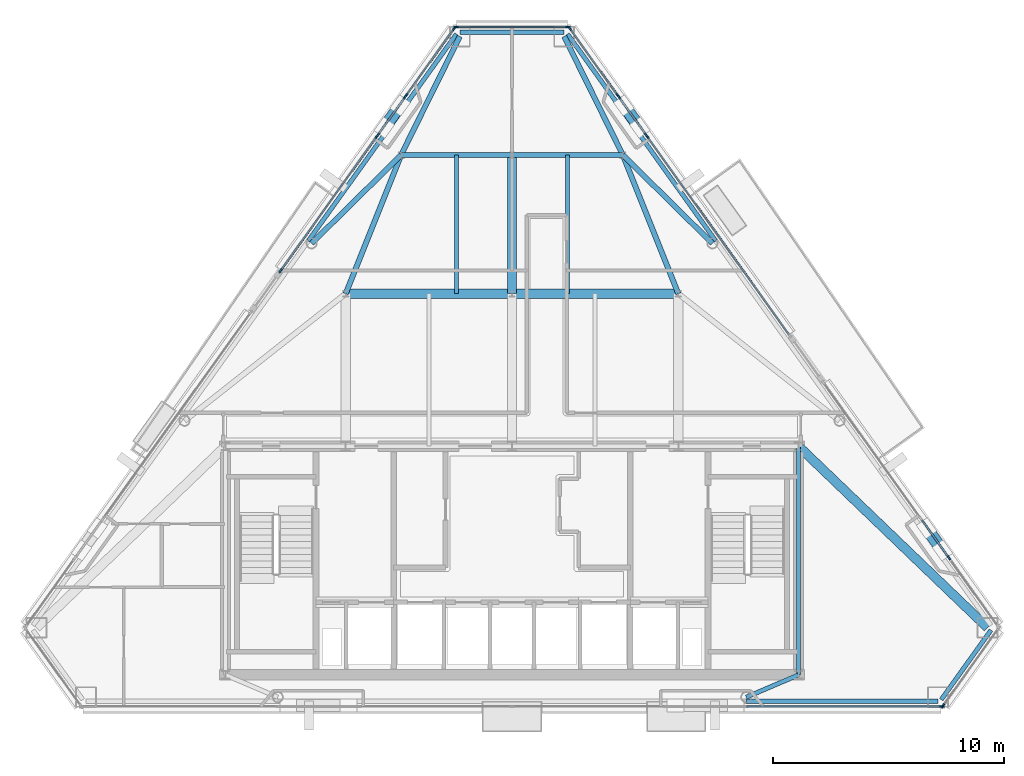
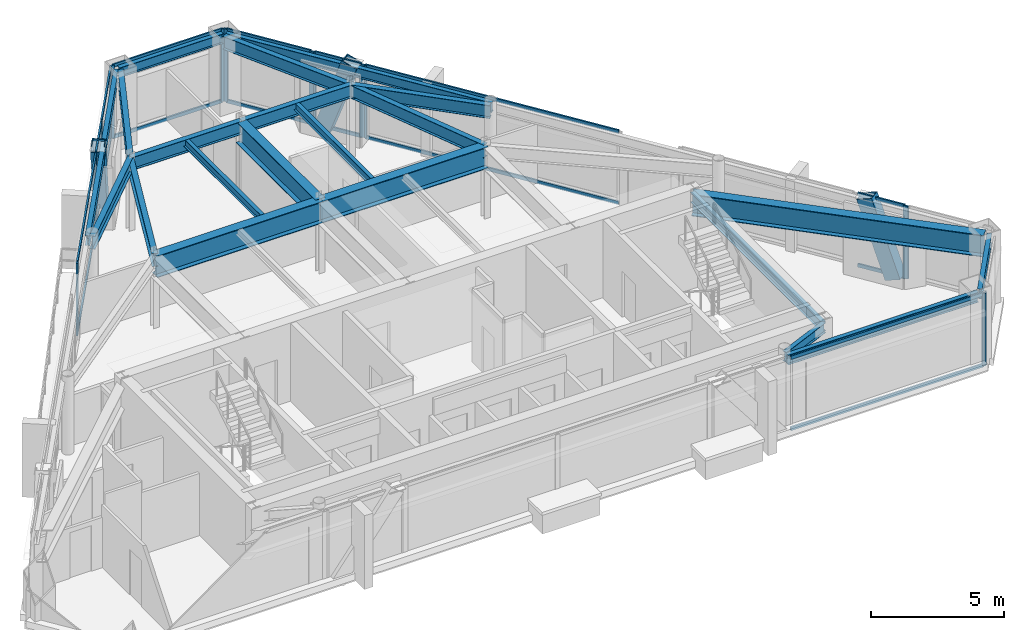
# One storey, part 5 of 12: 37 members, 21 beams, 10 elements without a shape of their own.
"""IFC4 building model written with IfcOpenShell, lengths in metres."""

from ifc_helpers import new_model, si_unit, direction, frame, origin, origin_2d, place, context, subcontext, project, spatial, rectangle, hollow_rectangle, i_section, extrude, material, layer, layer_set, material_profile, profile_set, type_object, element, aggregate, save


model = new_model("IFC4")

# Units and contexts
model_context = context("Model", 3, precision=1e-05, world=origin(), true_north=direction((0.0, 1.0)))
body_context = subcontext(model_context, "Body", "Model", "MODEL_VIEW")
ifc_project = project(units=[si_unit("LENGTHUNIT", "METRE"), si_unit("AREAUNIT", "SQUARE_METRE"), si_unit("VOLUMEUNIT", "CUBIC_METRE"), si_unit("PLANEANGLEUNIT", "RADIAN"), si_unit("MASSUNIT", "GRAM", prefix="KILO")], contexts=[model_context])

# Site, building, storey
site_placement = place(None, origin())
site = spatial("IfcSite", under=ifc_project, at=site_placement, CompositionType="ELEMENT")
building_placement = place(site_placement, origin())
building = spatial("IfcBuilding", under=site, at=building_placement, Name="Talgorran Terracotta Tower", CompositionType="ELEMENT")
storey_placement = place(building_placement, frame((0.0, 0.0, 252.60009765625)))
storey = spatial("IfcBuildingStorey", under=building, at=storey_placement, Name="L66", CompositionType="ELEMENT", Elevation=252.60009765625)

# Beams
ifc_material_1 = material(Name="Steel Grade 350 (350L0)", Category="steel")
ifc_material_profile_1 = material_profile(ifc_material_1, i_section(OverallWidth=0.39990234375, OverallDepth=1.0, WebThickness=0.01611328125, FlangeThickness=0.031005859375, at=origin_2d()), Name="1000WB296")
ifc_profile_set_1 = profile_set([ifc_material_profile_1], Name="Steel Grade 350 (350L0)")
beam_type_1 = type_object("IfcBeamType", Name="BM_1000WB296", PredefinedType="BEAM", material=ifc_profile_set_1)
for number, where, z_axis, x_axis, name in (
    (1, (-7.199951171875, 2.39990234375, 2.844970703125), (1.0, 0.0, 0.0), (0.0, 1.0, 0.0), "L66 Floor Girder G04"),
    (2, (0.0, 2.39990234375, 2.844970703125), (1.0, 0.0, 0.0), (0.0, 1.0, 0.0), "L66 Floor Girder G05"),
):
    element("IfcBeam", number, at=place(storey_placement, frame(where, z_axis=z_axis, x_axis=x_axis)), inside=storey, type_object=beam_type_1, Name=name, PredefinedType="BEAM", context=body_context, shape_type="SweptSolid", body=[
        extrude(i_section(OverallWidth=0.39990234375, OverallDepth=1.0, WebThickness=0.01611328125, FlangeThickness=0.031005859375, at=origin_2d()), origin(), (0.0, 0.0, 1.0), 7.199951171875),
    ])
beam_1_placement = place(storey_placement, frame((0.0, 2.39990234375, 2.844970703125), z_axis=(0.0, 1.0, 0.0), x_axis=(-1.0, 0.0, 0.0)))
element("IfcBeam", 3, at=beam_1_placement, inside=storey, type_object=beam_type_1, Name="L66 Floor Girder G09", PredefinedType="BEAM", context=body_context, shape_type="SweptSolid", body=[
    extrude(i_section(OverallWidth=0.39990234375, OverallDepth=1.0, WebThickness=0.01611328125, FlangeThickness=0.031005859375, at=origin_2d()), origin(), (0.0, 0.0, 1.0), 6.0),
])
beam_2_placement = place(storey_placement, frame((12.39990234375, -4.199951171875, 2.844970703125), z_axis=(0.721440209588, -0.692476731731, 0.0), x_axis=(0.692476731731, 0.721440209588, 0.0)))
element("IfcBeam", 4, at=beam_2_placement, inside=storey, type_object=beam_type_1, Name="L66 Floor Girder G18", PredefinedType="BEAM", context=body_context, shape_type="SweptSolid", body=[
    extrude(i_section(OverallWidth=0.39990234375, OverallDepth=1.0, WebThickness=0.01611328125, FlangeThickness=0.031005859375, at=origin_2d()), origin(), (0.0, 0.0, 1.0), 11.345703125),
])
ifc_material_2 = material(Name="Steel S355 (300PLUS)", Category="steel")
ifc_material_profile_2 = material_profile(ifc_material_2, i_section(OverallWidth=0.22802734375, OverallDepth=0.60205078125, WebThickness=0.010498046875, FlangeThickness=0.014892578125, at=origin_2d()), Name="610UB101")
ifc_profile_set_2 = profile_set([ifc_material_profile_2], Name="Steel S355 (300PLUS)")
beam_type_2 = type_object("IfcBeamType", Name="BM_610UB101", PredefinedType="BEAM", material=ifc_profile_set_2)
for number, where, z_axis, x_axis, name in (
    (5, (-7.199951171875, 2.39990234375, 3.0439453125), (0.371377648723, 0.928481901832, 0.0), (-0.928481901832, 0.371377648723, 0.0), "L66 Floor Girder G08"),
    (6, (7.199951171875, 2.39990234375, 3.0439453125), (-0.371377648723, 0.928481901832, 0.0), (-0.928481901832, -0.371377648723, 0.0), "L66 Floor Girder G10"),
):
    element("IfcBeam", number, at=place(storey_placement, frame(where, z_axis=z_axis, x_axis=x_axis)), inside=storey, type_object=beam_type_2, Name=name, PredefinedType="BEAM", context=body_context, shape_type="SweptSolid", body=[
        extrude(i_section(OverallWidth=0.22802734375, OverallDepth=0.60205078125, WebThickness=0.010498046875, FlangeThickness=0.014892578125, at=origin_2d()), origin(), (0.0, 0.0, 1.0), 6.462158203125),
    ])
for number, where, z_axis, x_axis, name in (
    (7, (-4.800048828125, 8.39990234375, 3.0439453125), (1.0, 0.0, 0.0), (0.0, 1.0, 0.0), "L66 Floor Girder G11"),
    (8, (0.0, 8.39990234375, 3.0439453125), (1.0, 0.0, 0.0), (0.0, 1.0, 0.0), "L66 Floor Girder G12"),
):
    element("IfcBeam", number, at=place(storey_placement, frame(where, z_axis=z_axis, x_axis=x_axis)), inside=storey, type_object=beam_type_2, Name=name, PredefinedType="BEAM", context=body_context, shape_type="SweptSolid", body=[
        extrude(i_section(OverallWidth=0.22802734375, OverallDepth=0.60205078125, WebThickness=0.010498046875, FlangeThickness=0.014892578125, at=origin_2d()), origin(), (0.0, 0.0, 1.0), 4.800048828125),
    ])
for number, where, z_axis, x_axis, name in (
    (9, (-4.800048828125, 8.39990234375, 3.0439453125), (-0.711847800696, -0.702333758725, 0.0), (0.702333758725, -0.711847800696, 0.0), "L66 Floor Girder G13"),
    (10, (4.800048828125, 8.39990234375, 3.0439453125), (0.711847800696, -0.702333758725, 0.0), (0.702333758725, 0.711847800696, 0.0), "L66 Floor Girder G14"),
):
    element("IfcBeam", number, at=place(storey_placement, frame(where, z_axis=z_axis, x_axis=x_axis)), inside=storey, type_object=beam_type_2, Name=name, PredefinedType="BEAM", context=body_context, shape_type="SweptSolid", body=[
        extrude(i_section(OverallWidth=0.22802734375, OverallDepth=0.60205078125, WebThickness=0.010498046875, FlangeThickness=0.014892578125, at=origin_2d()), origin(), (0.0, 0.0, 1.0), 5.440185546875),
    ])
for number, where, z_axis, x_axis, name in (
    (11, (-4.800048828125, 8.39990234375, 3.0439453125), (0.443529350633, 0.896259847994, 0.0), (-0.896259847994, 0.443529350633, 0.0), "L66 Floor Girder G15"),
    (12, (4.800048828125, 8.39990234375, 3.0439453125), (-0.443529350633, 0.896259847994, 0.0), (-0.896259847994, -0.443529350633, 0.0), "L66 Floor Girder G16"),
):
    element("IfcBeam", number, at=place(storey_placement, frame(where, z_axis=z_axis, x_axis=x_axis)), inside=storey, type_object=beam_type_2, Name=name, PredefinedType="BEAM", context=body_context, shape_type="SweptSolid", body=[
        extrude(i_section(OverallWidth=0.22802734375, OverallDepth=0.60205078125, WebThickness=0.010498046875, FlangeThickness=0.014892578125, at=origin_2d()), origin(), (0.0, 0.0, 1.0), 5.731201171875),
    ])
ifc_material_profile_3 = material_profile(ifc_material_2, i_section(OverallWidth=0.17138671875, OverallDepth=0.355712890625, WebThickness=0.00732421875, FlangeThickness=0.011474609375, at=origin_2d()), Name="360UB50.7")
ifc_profile_set_3 = profile_set([ifc_material_profile_3], Name="Steel S355 (300PLUS)")
beam_type_3 = type_object("IfcBeamType", Name="BM_JS_360UB51", PredefinedType="JOIST", material=ifc_profile_set_3)
for number, where, z_axis, x_axis, name in (
    (13, (-2.39990234375, 2.39990234375, 3.1669921875), (0.0, 1.0, 0.0), (-1.0, 0.0, 0.0), "L66 Secondary Joist J03"),
    (14, (2.39990234375, 2.39990234375, 3.1669921875), (0.0, 1.0, 0.0), (-1.0, 0.0, 0.0), "L66 Secondary Joist J04"),
):
    element("IfcBeam", number, at=place(storey_placement, frame(where, z_axis=z_axis, x_axis=x_axis)), inside=storey, type_object=beam_type_3, Name=name, PredefinedType="JOIST", context=body_context, shape_type="SweptSolid", body=[
        extrude(i_section(OverallWidth=0.17138671875, OverallDepth=0.355712890625, WebThickness=0.00732421875, FlangeThickness=0.011474609375, at=origin_2d()), origin(), (0.0, 0.0, 1.0), 6.0),
    ])
ifc_material_profile_4 = material_profile(ifc_material_2, i_section(OverallWidth=0.18994140625, OverallDepth=0.45703125, WebThickness=0.009033203125, FlangeThickness=0.014404296875, at=origin_2d()), Name="460UB74.6")
ifc_profile_set_4 = profile_set([ifc_material_profile_4], Name="Steel S355 (300PLUS)")
beam_type_4 = type_object("IfcBeamType", Name="BM_SP_460UB74", PredefinedType="SPANDREL", material=ifc_profile_set_4)
beam_3_placement = place(storey_placement, frame((10.1376953125, -15.243408203125, 3.116455078125), z_axis=(1.0, 0.0, 0.0), x_axis=(0.0, 1.0, 0.0)))
element("IfcBeam", 15, at=beam_3_placement, inside=storey, type_object=beam_type_4, Name="L66 Perimeter Spandrel Beam FC2-MC3", PredefinedType="SPANDREL", context=body_context, shape_type="SweptSolid", body=[
    extrude(i_section(OverallWidth=0.18994140625, OverallDepth=0.45703125, WebThickness=0.009033203125, FlangeThickness=0.014404296875, at=origin_2d()), origin(), (0.0, 0.0, 1.0), 8.29443359375),
])
beam_4_placement = place(storey_placement, frame((18.578369140625, -15.168212890625, 3.116455078125), z_axis=(0.582224487769, 0.813028071989, 0.0), x_axis=(-0.813028071989, 0.582224487769, 0.0)))
element("IfcBeam", 16, at=beam_4_placement, inside=storey, type_object=beam_type_4, Name="L66 Perimeter Spandrel Beam MC3-MC4", PredefinedType="SPANDREL", context=body_context, shape_type="SweptSolid", body=[
    extrude(i_section(OverallWidth=0.18994140625, OverallDepth=0.45703125, WebThickness=0.009033203125, FlangeThickness=0.014404296875, at=origin_2d()), origin(), (0.0, 0.0, 1.0), 3.697998046875),
])
beam_5_placement = place(storey_placement, frame((8.81884765625, 4.683837890625, 3.116455078125), z_axis=(-0.58220828918, 0.813039671855, 0.0), x_axis=(-0.813039671855, -0.58220828918, 0.0)))
element("IfcBeam", 17, at=beam_5_placement, inside=storey, type_object=beam_type_4, Name="L66 Perimeter Spandrel Beam FC4-MC5", PredefinedType="SPANDREL", context=body_context, shape_type="SweptSolid", body=[
    extrude(i_section(OverallWidth=0.18994140625, OverallDepth=0.45703125, WebThickness=0.009033203125, FlangeThickness=0.014404296875, at=origin_2d()), origin(), (0.0, 0.0, 1.0), 11.017578125),
])
beam_6_placement = place(storey_placement, frame((2.258056640625, 13.716796875, 3.116455078125), z_axis=(-1.0, 0.0, 0.0), x_axis=(0.0, -1.0, 0.0)))
element("IfcBeam", 18, at=beam_6_placement, inside=storey, type_object=beam_type_4, Name="L66 Perimeter Spandrel Beam MC5-MC6", PredefinedType="SPANDREL", context=body_context, shape_type="SweptSolid", body=[
    extrude(i_section(OverallWidth=0.18994140625, OverallDepth=0.45703125, WebThickness=0.009033203125, FlangeThickness=0.014404296875, at=origin_2d()), origin(), (0.0, 0.0, 1.0), 4.51611328125),
])
beam_7_placement = place(storey_placement, frame((-2.404296875, 13.6416015625, 3.116455078125), z_axis=(-0.58220828918, -0.813039671855, 0.0), x_axis=(0.813039671855, -0.58220828918, 0.0)))
element("IfcBeam", 19, at=beam_7_placement, inside=storey, type_object=beam_type_4, Name="L66 Perimeter Spandrel Beam MC6-FC5", PredefinedType="SPANDREL", context=body_context, shape_type="SweptSolid", body=[
    extrude(i_section(OverallWidth=0.18994140625, OverallDepth=0.45703125, WebThickness=0.009033203125, FlangeThickness=0.014404296875, at=origin_2d()), origin(), (0.0, 0.0, 1.0), 11.017578125),
])
beam_8_placement = place(storey_placement, frame((12.39990234375, -14.10009765625, 3.116455078125), z_axis=(-0.920082307349, -0.391725092002, 0.0), x_axis=(0.391725092002, -0.920082307349, 0.0)))
element("IfcBeam", 20, at=beam_8_placement, inside=storey, type_object=beam_type_4, Name="L66 South-East Core Tie Beam", PredefinedType="SPANDREL", context=body_context, shape_type="SweptSolid", body=[
    extrude(i_section(OverallWidth=0.18994140625, OverallDepth=0.45703125, WebThickness=0.009033203125, FlangeThickness=0.014404296875, at=origin_2d()), origin(), (0.0, 0.0, 1.0), 2.458740234375),
])
beam_9_placement = place(storey_placement, frame((12.39990234375, -14.10009765625, 3.116455078125), z_axis=(0.0, 1.0, 0.0), x_axis=(-1.0, 0.0, 0.0)))
element("IfcBeam", 21, at=beam_9_placement, inside=storey, type_object=beam_type_4, Name="L66 Core Frame Beam CFE", PredefinedType="SPANDREL", context=body_context, shape_type="SweptSolid", body=[
    extrude(i_section(OverallWidth=0.18994140625, OverallDepth=0.45703125, WebThickness=0.009033203125, FlangeThickness=0.014404296875, at=origin_2d()), origin(), (0.0, 0.0, 1.0), 9.900146484375),
])

# Members
ifc_material_profile_5 = material_profile(ifc_material_1, hollow_rectangle(XDim=0.52001953125, YDim=0.659912109375, WallThickness=0.034912109375, at=origin_2d()), Name="WBOX660X520X35")
ifc_profile_set_5 = profile_set([ifc_material_profile_5], Name="Steel Grade 350 (350L0)")
member_type_1 = type_object("IfcMemberType", Name="MB_MEGA_660", PredefinedType="BRACE", material=ifc_profile_set_5)
member_1_placement = place(storey_placement, frame((18.630615234375, -8.708740234375, -0.025146484375), z_axis=(-0.191323600613, 0.267187449347, 0.944460770366), x_axis=(-0.8130486546, -0.582195744791, 0.0)))
element("IfcMember", 22, at=member_1_placement, inside=storey, type_object=member_type_1, Name="L66 Exterior Face Mega-Brace MB-3 (NEL)", PredefinedType="BRACE", context=body_context, shape_type="SweptSolid", body=[
    extrude(hollow_rectangle(XDim=0.52001953125, YDim=0.659912109375, WallThickness=0.034912109375, at=origin_2d()), origin(), (0.0, 0.0, 1.0), 3.5947265625),
])
for number, where, z_axis, x_axis, name in (
    (23, (4.840576171875, 10.548583984375, -0.025146484375), (0.191327072159, -0.267124378701, 0.944477907504), (0.812978584989, 0.582293586045, 0.0), "L66 Exterior Face Mega-Brace MB-3 (NEU)"),
    (24, (-4.840576171875, 10.548583984375, -0.025146484375), (-0.191327072159, -0.267124378701, 0.944477907504), (0.812978584989, -0.582293586045, 0.0), "L66 Exterior Face Mega-Brace MB-3 (NWU)"),
):
    element("IfcMember", number, at=place(storey_placement, frame(where, z_axis=z_axis, x_axis=x_axis)), inside=storey, type_object=member_type_1, Name=name, PredefinedType="BRACE", context=body_context, shape_type="SweptSolid", body=[
        extrude(hollow_rectangle(XDim=0.52001953125, YDim=0.659912109375, WallThickness=0.034912109375, at=origin_2d()), origin(), (0.0, 0.0, 1.0), 3.594482421875),
    ])

# Curtain wall, member
ifc_material_3 = material(Name="High-Wind Unitised Glazing", Category="glass")
ifc_layer = layer(ifc_material_3, 0.2099609375, Name="CW_SYS3_RES_HIGH")
ifc_layer_set = layer_set([ifc_layer], Name="High-Wind Unitised Glazing")
curtain_wall_type = type_object("IfcCurtainWallType", Name="CW_SYS3_RES_HIGH", PredefinedType="NOTDEFINED", material=ifc_layer_set)
curtain_wall_1_placement = place(storey_placement, origin())
curtain_wall_1 = element("IfcCurtainWall", 25, at=curtain_wall_1_placement, inside=storey, type_object=curtain_wall_type, Name="CW-L66-F1E", PredefinedType="NOTDEFINED")
ifc_material_4 = material(Name="Architectural Aluminium 6063-T6", Category="aluminium")
ifc_material_profile_6 = material_profile(ifc_material_4, rectangle(XDim=0.070068359375, YDim=0.199951171875, at=origin_2d()), Name="CWM70X200")
ifc_profile_set_6 = profile_set([ifc_material_profile_6], Name="Architectural Aluminium 6063-T6")
member_type_2 = type_object("IfcMemberType", Name="MUL_70X200", PredefinedType="MULLION", material=ifc_profile_set_6)
member_2_placement = place(storey_placement, frame((18.6025390625, -15.46337890625, 0.0), z_axis=(0.0, 0.0, 1.0), x_axis=(0.0, 1.0, 0.0)))
member_2 = element("IfcMember", 26, at=member_2_placement, type_object=member_type_2, Name="CW-L66-1E mullion 2", PredefinedType="MULLION", context=body_context, shape_type="SweptSolid", body=[
    extrude(rectangle(XDim=0.070068359375, YDim=0.199951171875, at=origin_2d()), origin(), (0.0, 0.0, 1.0), 3.344970703125),
])

curtain_wall_2_placement = place(storey_placement, origin())
curtain_wall_2 = element("IfcCurtainWall", 27, at=curtain_wall_2_placement, inside=storey, type_object=curtain_wall_type, Name="CW-L66-F2", PredefinedType="NOTDEFINED")
member_3_placement = place(storey_placement, frame((18.657958984375, -15.434814453125, 0.0), z_axis=(0.0, 0.0, 1.0), x_axis=(-0.813031401137, 0.582219838862, 0.0)))
member_3 = element("IfcMember", 28, at=member_3_placement, type_object=member_type_2, Name="CW-L66-2 mullion 1", PredefinedType="MULLION", context=body_context, shape_type="SweptSolid", body=[
    extrude(rectangle(XDim=0.070068359375, YDim=0.199951171875, at=origin_2d()), origin(), (0.0, 0.0, 1.0), 3.344970703125),
])
aggregate(curtain_wall_2, [member_3])

curtain_wall_3_placement = place(storey_placement, origin())
curtain_wall_3 = element("IfcCurtainWall", 29, at=curtain_wall_3_placement, inside=storey, type_object=curtain_wall_type, Name="CW-L66-F40B", PredefinedType="NOTDEFINED")
member_4_placement = place(storey_placement, frame((18.908447265625, -9.0283203125, 0.0), z_axis=(0.0, 0.0, 1.0), x_axis=(-0.813023164731, -0.582231340285, 0.0)))
member_4 = element("IfcMember", 30, at=member_4_placement, type_object=member_type_2, Name="CW-L66-40B mullion 1", PredefinedType="MULLION", context=body_context, shape_type="SweptSolid", body=[
    extrude(rectangle(XDim=0.070068359375, YDim=0.199951171875, at=origin_2d()), origin(), (0.0, 0.0, 1.0), 3.344970703125),
])

curtain_wall_4_placement = place(storey_placement, origin())
curtain_wall_4 = element("IfcCurtainWall", 31, at=curtain_wall_4_placement, inside=storey, type_object=curtain_wall_type, Name="CW-L66-F41", PredefinedType="NOTDEFINED")
member_5_placement = place(storey_placement, frame((5.852783203125, 9.203857421875, 0.0), z_axis=(0.0, 0.0, 1.0), x_axis=(-0.813041247511, -0.582206088809, 0.0)))
member_5 = element("IfcMember", 32, at=member_5_placement, type_object=member_type_2, Name="CW-L66-41 mullion 2", PredefinedType="MULLION", context=body_context, shape_type="SweptSolid", body=[
    extrude(rectangle(XDim=0.070068359375, YDim=0.199951171875, at=origin_2d()), origin(), (0.0, 0.0, 1.0), 3.344970703125),
])

# Curtain wall, members
curtain_wall_5_placement = place(storey_placement, origin())
curtain_wall_5 = element("IfcCurtainWall", 33, at=curtain_wall_5_placement, inside=storey, type_object=curtain_wall_type, Name="CW-L66-F41B", PredefinedType="NOTDEFINED")
member_6_placement = place(storey_placement, frame((5.80615234375, 9.268798828125, 0.0), z_axis=(0.0, 0.0, 1.0), x_axis=(-0.813023164731, -0.582231340285, 0.0)))
member_6 = element("IfcMember", 34, at=member_6_placement, type_object=member_type_2, Name="CW-L66-41B mullion 1", PredefinedType="MULLION", context=body_context, shape_type="SweptSolid", body=[
    extrude(rectangle(XDim=0.070068359375, YDim=0.199951171875, at=origin_2d()), origin(), (0.0, 0.0, 1.0), 3.344970703125),
])
member_7_placement = place(storey_placement, frame((4.62744140625, 10.914794921875, 0.0), z_axis=(0.0, 0.0, 1.0), x_axis=(-0.813023164731, -0.582231340285, 0.0)))
member_7 = element("IfcMember", 35, at=member_7_placement, type_object=member_type_2, Name="CW-L66-41B mullion 2", PredefinedType="MULLION", context=body_context, shape_type="SweptSolid", body=[
    extrude(rectangle(XDim=0.070068359375, YDim=0.199951171875, at=origin_2d()), origin(), (0.0, 0.0, 1.0), 3.344970703125),
])

curtain_wall_6_placement = place(storey_placement, origin())
curtain_wall_6 = element("IfcCurtainWall", 36, at=curtain_wall_6_placement, inside=storey, type_object=curtain_wall_type, Name="CW-L66-F41C", PredefinedType="NOTDEFINED")
member_8_placement = place(storey_placement, frame((4.580810546875, 10.979736328125, 0.0), z_axis=(0.0, 0.0, 1.0), x_axis=(-0.813048257028, -0.582196300008, 0.0)))
member_8 = element("IfcMember", 37, at=member_8_placement, type_object=member_type_2, Name="CW-L66-41C mullion 1", PredefinedType="MULLION", context=body_context, shape_type="SweptSolid", body=[
    extrude(rectangle(XDim=0.070068359375, YDim=0.199951171875, at=origin_2d()), origin(), (0.0, 0.0, 1.0), 3.344970703125),
])
member_9_placement = place(storey_placement, frame((2.50732421875, 13.875732421875, 0.0), z_axis=(0.0, 0.0, 1.0), x_axis=(-0.813048257028, -0.582196300008, 0.0)))
member_9 = element("IfcMember", 38, at=member_9_placement, type_object=member_type_2, Name="CW-L66-41C mullion 2", PredefinedType="MULLION", context=body_context, shape_type="SweptSolid", body=[
    extrude(rectangle(XDim=0.070068359375, YDim=0.199951171875, at=origin_2d()), origin(), (0.0, 0.0, 1.0), 3.344970703125),
])

curtain_wall_7_placement = place(storey_placement, origin())
curtain_wall_7 = element("IfcCurtainWall", 39, at=curtain_wall_7_placement, inside=storey, type_object=curtain_wall_type, Name="CW-L66-F4", PredefinedType="NOTDEFINED")
member_10_placement = place(storey_placement, frame((2.4287109375, 13.936767578125, 0.0), z_axis=(0.0, 0.0, 1.0), x_axis=(0.0, -1.0, 0.0)))
member_10 = element("IfcMember", 40, at=member_10_placement, type_object=member_type_2, Name="CW-L66-4 mullion 1", PredefinedType="MULLION", context=body_context, shape_type="SweptSolid", body=[
    extrude(rectangle(XDim=0.070068359375, YDim=0.199951171875, at=origin_2d()), origin(), (0.0, 0.0, 1.0), 3.344970703125),
])
member_11_placement = place(storey_placement, frame((-2.4287109375, 13.936767578125, 0.0), z_axis=(0.0, 0.0, 1.0), x_axis=(0.0, -1.0, 0.0)))
member_11 = element("IfcMember", 41, at=member_11_placement, type_object=member_type_2, Name="CW-L66-4 mullion 2", PredefinedType="MULLION", context=body_context, shape_type="SweptSolid", body=[
    extrude(rectangle(XDim=0.070068359375, YDim=0.199951171875, at=origin_2d()), origin(), (0.0, 0.0, 1.0), 3.344970703125),
])

curtain_wall_8_placement = place(storey_placement, origin())
curtain_wall_8 = element("IfcCurtainWall", 42, at=curtain_wall_8_placement, inside=storey, type_object=curtain_wall_type, Name="CW-L66-F60", PredefinedType="NOTDEFINED")
member_12_placement = place(storey_placement, frame((-2.50732421875, 13.875732421875, 0.0), z_axis=(0.0, 0.0, 1.0), x_axis=(0.813048257028, -0.582196300008, 0.0)))
member_12 = element("IfcMember", 43, at=member_12_placement, type_object=member_type_2, Name="CW-L66-60 mullion 1", PredefinedType="MULLION", context=body_context, shape_type="SweptSolid", body=[
    extrude(rectangle(XDim=0.070068359375, YDim=0.199951171875, at=origin_2d()), origin(), (0.0, 0.0, 1.0), 3.344970703125),
])
member_13_placement = place(storey_placement, frame((-4.580810546875, 10.979736328125, 0.0), z_axis=(0.0, 0.0, 1.0), x_axis=(0.813048257028, -0.582196300008, 0.0)))
member_13 = element("IfcMember", 44, at=member_13_placement, type_object=member_type_2, Name="CW-L66-60 mullion 2", PredefinedType="MULLION", context=body_context, shape_type="SweptSolid", body=[
    extrude(rectangle(XDim=0.070068359375, YDim=0.199951171875, at=origin_2d()), origin(), (0.0, 0.0, 1.0), 3.344970703125),
])

curtain_wall_9_placement = place(storey_placement, origin())
curtain_wall_9 = element("IfcCurtainWall", 45, at=curtain_wall_9_placement, inside=storey, type_object=curtain_wall_type, Name="CW-L66-F60B", PredefinedType="NOTDEFINED")
member_14_placement = place(storey_placement, frame((-4.627685546875, 10.914794921875, 0.0), z_axis=(0.0, 0.0, 1.0), x_axis=(0.813045764946, -0.582199780234, 0.0)))
member_14 = element("IfcMember", 46, at=member_14_placement, type_object=member_type_2, Name="CW-L66-60B mullion 1", PredefinedType="MULLION", context=body_context, shape_type="SweptSolid", body=[
    extrude(rectangle(XDim=0.070068359375, YDim=0.199951171875, at=origin_2d()), origin(), (0.0, 0.0, 1.0), 3.344970703125),
])
member_15_placement = place(storey_placement, frame((-5.80615234375, 9.268798828125, 0.0), z_axis=(0.0, 0.0, 1.0), x_axis=(0.813045764946, -0.582199780234, 0.0)))
member_15 = element("IfcMember", 47, at=member_15_placement, type_object=member_type_2, Name="CW-L66-60B mullion 2", PredefinedType="MULLION", context=body_context, shape_type="SweptSolid", body=[
    extrude(rectangle(XDim=0.070068359375, YDim=0.199951171875, at=origin_2d()), origin(), (0.0, 0.0, 1.0), 3.344970703125),
])

curtain_wall_10_placement = place(storey_placement, origin())
curtain_wall_10 = element("IfcCurtainWall", 48, at=curtain_wall_10_placement, inside=storey, type_object=curtain_wall_type, Name="CW-L66-F60C", PredefinedType="NOTDEFINED")
member_16_placement = place(storey_placement, frame((-5.852783203125, 9.203857421875, 0.0), z_axis=(0.0, 0.0, 1.0), x_axis=(0.813038090795, -0.582210497086, 0.0)))
member_16 = element("IfcMember", 49, at=member_16_placement, type_object=member_type_2, Name="CW-L66-60C mullion 1", PredefinedType="MULLION", context=body_context, shape_type="SweptSolid", body=[
    extrude(rectangle(XDim=0.070068359375, YDim=0.199951171875, at=origin_2d()), origin(), (0.0, 0.0, 1.0), 3.344970703125),
])
member_17_placement = place(storey_placement, frame((-10.01318359375, 3.39404296875, 0.0), z_axis=(0.0, 0.0, 1.0), x_axis=(0.813038090795, -0.582210497086, 0.0)))
member_17 = element("IfcMember", 50, at=member_17_placement, type_object=member_type_2, Name="CW-L66-60C mullion 2", PredefinedType="MULLION", context=body_context, shape_type="SweptSolid", body=[
    extrude(rectangle(XDim=0.070068359375, YDim=0.199951171875, at=origin_2d()), origin(), (0.0, 0.0, 1.0), 3.344970703125),
])

# Member
ifc_material_profile_7 = material_profile(ifc_material_4, rectangle(XDim=0.070068359375, YDim=0.159912109375, at=origin_2d()), Name="CWT70X160")
ifc_profile_set_7 = profile_set([ifc_material_profile_7], Name="Architectural Aluminium 6063-T6")
member_type_3 = type_object("IfcMemberType", Name="TRN_70X160", PredefinedType="USERDEFINED", material=ifc_profile_set_7)
member_18_placement = place(storey_placement, frame((10.167724609375, -15.46337890625, 0.034912109375), z_axis=(1.0, 0.0, 0.0), x_axis=(0.0, 1.0, 0.0)))
member_18 = element("IfcMember", 51, at=member_18_placement, type_object=member_type_3, Name="CW-L66-1E transom 1.1", ObjectType="TRANSOM", PredefinedType="USERDEFINED", context=body_context, shape_type="SweptSolid", body=[
    extrude(rectangle(XDim=0.070068359375, YDim=0.159912109375, at=origin_2d()), origin(), (0.0, 0.0, 1.0), 8.39990234375),
])

member_19_placement = place(storey_placement, frame((10.167724609375, -15.46337890625, 3.309814453125), z_axis=(1.0, 0.0, 0.0), x_axis=(0.0, 1.0, 0.0)))
member_19 = element("IfcMember", 52, at=member_19_placement, type_object=member_type_3, Name="CW-L66-1E transom 1.2", ObjectType="TRANSOM", PredefinedType="USERDEFINED", context=body_context, shape_type="SweptSolid", body=[
    extrude(rectangle(XDim=0.070068359375, YDim=0.159912109375, at=origin_2d()), origin(), (0.0, 0.0, 1.0), 8.39990234375),
])

aggregate(curtain_wall_1, [member_2, member_18, member_19])

member_20_placement = place(storey_placement, frame((18.88818359375, -8.999755859375, 0.034912109375), z_axis=(-0.582206680135, 0.813040824071, 0.0), x_axis=(-0.813040824071, -0.582206680135, 0.0)))
member_20 = element("IfcMember", 53, at=member_20_placement, type_object=member_type_3, Name="CW-L66-40B transom 1.1", ObjectType="TRANSOM", PredefinedType="USERDEFINED", context=body_context, shape_type="SweptSolid", body=[
    extrude(rectangle(XDim=0.070068359375, YDim=0.159912109375, at=origin_2d()), origin(), (0.0, 0.0, 1.0), 1.95458984375),
])

member_21_placement = place(storey_placement, frame((18.88818359375, -8.999755859375, 3.309814453125), z_axis=(-0.582206680135, 0.813040824071, 0.0), x_axis=(-0.813040824071, -0.582206680135, 0.0)))
member_21 = element("IfcMember", 54, at=member_21_placement, type_object=member_type_3, Name="CW-L66-40B transom 1.2", ObjectType="TRANSOM", PredefinedType="USERDEFINED", context=body_context, shape_type="SweptSolid", body=[
    extrude(rectangle(XDim=0.070068359375, YDim=0.159912109375, at=origin_2d()), origin(), (0.0, 0.0, 1.0), 1.95458984375),
])

aggregate(curtain_wall_3, [member_4, member_20, member_21])

member_22_placement = place(storey_placement, frame((11.9912109375, 0.631591796875, 0.034912109375), z_axis=(-0.582215752237, 0.813034327595, 0.0), x_axis=(-0.813034327595, -0.582215752237, 0.0)))
member_22 = element("IfcMember", 55, at=member_22_placement, type_object=member_type_3, Name="CW-L66-41 transom 1.1", ObjectType="TRANSOM", PredefinedType="USERDEFINED", context=body_context, shape_type="SweptSolid", body=[
    extrude(rectangle(XDim=0.070068359375, YDim=0.159912109375, at=origin_2d()), origin(), (0.0, 0.0, 1.0), 10.50830078125),
])

member_23_placement = place(storey_placement, frame((11.9912109375, 0.631591796875, 3.309814453125), z_axis=(-0.582215752237, 0.813034327595, 0.0), x_axis=(-0.813034327595, -0.582215752237, 0.0)))
member_23 = element("IfcMember", 56, at=member_23_placement, type_object=member_type_3, Name="CW-L66-41 transom 1.2", ObjectType="TRANSOM", PredefinedType="USERDEFINED", context=body_context, shape_type="SweptSolid", body=[
    extrude(rectangle(XDim=0.070068359375, YDim=0.159912109375, at=origin_2d()), origin(), (0.0, 0.0, 1.0), 10.50830078125),
])

aggregate(curtain_wall_4, [member_5, member_22, member_23])

member_24_placement = place(storey_placement, frame((5.785888671875, 9.29736328125, 0.034912109375), z_axis=(-0.582206680135, 0.813040824071, 0.0), x_axis=(-0.813040824071, -0.582206680135, 0.0)))
member_24 = element("IfcMember", 57, at=member_24_placement, type_object=member_type_3, Name="CW-L66-41B transom 1.1", ObjectType="TRANSOM", PredefinedType="USERDEFINED", context=body_context, shape_type="SweptSolid", body=[
    extrude(rectangle(XDim=0.070068359375, YDim=0.159912109375, at=origin_2d()), origin(), (0.0, 0.0, 1.0), 1.95458984375),
])

member_25_placement = place(storey_placement, frame((5.785888671875, 9.29736328125, 3.309814453125), z_axis=(-0.582206680135, 0.813040824071, 0.0), x_axis=(-0.813040824071, -0.582206680135, 0.0)))
member_25 = element("IfcMember", 58, at=member_25_placement, type_object=member_type_3, Name="CW-L66-41B transom 1.2", ObjectType="TRANSOM", PredefinedType="USERDEFINED", context=body_context, shape_type="SweptSolid", body=[
    extrude(rectangle(XDim=0.070068359375, YDim=0.159912109375, at=origin_2d()), origin(), (0.0, 0.0, 1.0), 1.95458984375),
])

aggregate(curtain_wall_5, [member_6, member_7, member_24, member_25])

member_26_placement = place(storey_placement, frame((4.560546875, 11.00830078125, 0.034912109375), z_axis=(-0.58222326054, 0.813028950829, 0.0), x_axis=(-0.813028950829, -0.58222326054, 0.0)))
member_26 = element("IfcMember", 59, at=member_26_placement, type_object=member_type_3, Name="CW-L66-41C transom 1.1", ObjectType="TRANSOM", PredefinedType="USERDEFINED", context=body_context, shape_type="SweptSolid", body=[
    extrude(rectangle(XDim=0.070068359375, YDim=0.159912109375, at=origin_2d()), origin(), (0.0, 0.0, 1.0), 3.49169921875),
])

member_27_placement = place(storey_placement, frame((4.560546875, 11.00830078125, 3.309814453125), z_axis=(-0.58222326054, 0.813028950829, 0.0), x_axis=(-0.813028950829, -0.58222326054, 0.0)))
member_27 = element("IfcMember", 60, at=member_27_placement, type_object=member_type_3, Name="CW-L66-41C transom 1.2", ObjectType="TRANSOM", PredefinedType="USERDEFINED", context=body_context, shape_type="SweptSolid", body=[
    extrude(rectangle(XDim=0.070068359375, YDim=0.159912109375, at=origin_2d()), origin(), (0.0, 0.0, 1.0), 3.49169921875),
])

aggregate(curtain_wall_6, [member_8, member_9, member_26, member_27])

member_28_placement = place(storey_placement, frame((2.3935546875, 13.936767578125, 0.034912109375), z_axis=(-1.0, 0.0, 0.0), x_axis=(0.0, -1.0, 0.0)))
member_28 = element("IfcMember", 61, at=member_28_placement, type_object=member_type_3, Name="CW-L66-4 transom 1.1", ObjectType="TRANSOM", PredefinedType="USERDEFINED", context=body_context, shape_type="SweptSolid", body=[
    extrude(rectangle(XDim=0.070068359375, YDim=0.159912109375, at=origin_2d()), origin(), (0.0, 0.0, 1.0), 4.787109375),
])

member_29_placement = place(storey_placement, frame((2.3935546875, 13.936767578125, 3.309814453125), z_axis=(-1.0, 0.0, 0.0), x_axis=(0.0, -1.0, 0.0)))
member_29 = element("IfcMember", 62, at=member_29_placement, type_object=member_type_3, Name="CW-L66-4 transom 1.2", ObjectType="TRANSOM", PredefinedType="USERDEFINED", context=body_context, shape_type="SweptSolid", body=[
    extrude(rectangle(XDim=0.070068359375, YDim=0.159912109375, at=origin_2d()), origin(), (0.0, 0.0, 1.0), 4.787109375),
])

aggregate(curtain_wall_7, [member_10, member_11, member_28, member_29])

member_30_placement = place(storey_placement, frame((-2.527587890625, 13.84716796875, 0.034912109375), z_axis=(-0.58222326054, -0.813028950829, 0.0), x_axis=(0.813028950829, -0.58222326054, 0.0)))
member_30 = element("IfcMember", 63, at=member_30_placement, type_object=member_type_3, Name="CW-L66-60 transom 1.1", ObjectType="TRANSOM", PredefinedType="USERDEFINED", context=body_context, shape_type="SweptSolid", body=[
    extrude(rectangle(XDim=0.070068359375, YDim=0.159912109375, at=origin_2d()), origin(), (0.0, 0.0, 1.0), 3.49169921875),
])

member_31_placement = place(storey_placement, frame((-2.527587890625, 13.84716796875, 3.309814453125), z_axis=(-0.58222326054, -0.813028950829, 0.0), x_axis=(0.813028950829, -0.58222326054, 0.0)))
member_31 = element("IfcMember", 64, at=member_31_placement, type_object=member_type_3, Name="CW-L66-60 transom 1.2", ObjectType="TRANSOM", PredefinedType="USERDEFINED", context=body_context, shape_type="SweptSolid", body=[
    extrude(rectangle(XDim=0.070068359375, YDim=0.159912109375, at=origin_2d()), origin(), (0.0, 0.0, 1.0), 3.49169921875),
])

aggregate(curtain_wall_8, [member_12, member_13, member_30, member_31])

member_32_placement = place(storey_placement, frame((-4.64794921875, 10.886474609375, 0.034912109375), z_axis=(-0.582206680135, -0.813040824071, 0.0), x_axis=(0.813040824071, -0.582206680135, 0.0)))
member_32 = element("IfcMember", 65, at=member_32_placement, type_object=member_type_3, Name="CW-L66-60B transom 1.1", ObjectType="TRANSOM", PredefinedType="USERDEFINED", context=body_context, shape_type="SweptSolid", body=[
    extrude(rectangle(XDim=0.070068359375, YDim=0.159912109375, at=origin_2d()), origin(), (0.0, 0.0, 1.0), 1.95458984375),
])

member_33_placement = place(storey_placement, frame((-4.64794921875, 10.886474609375, 3.309814453125), z_axis=(-0.582206680135, -0.813040824071, 0.0), x_axis=(0.813040824071, -0.582206680135, 0.0)))
member_33 = element("IfcMember", 66, at=member_33_placement, type_object=member_type_3, Name="CW-L66-60B transom 1.2", ObjectType="TRANSOM", PredefinedType="USERDEFINED", context=body_context, shape_type="SweptSolid", body=[
    extrude(rectangle(XDim=0.070068359375, YDim=0.159912109375, at=origin_2d()), origin(), (0.0, 0.0, 1.0), 1.95458984375),
])

aggregate(curtain_wall_9, [member_14, member_15, member_32, member_33])

member_34_placement = place(storey_placement, frame((-5.873046875, 9.17529296875, 0.034912109375), z_axis=(-0.582210401447, -0.813038159281, 0.0), x_axis=(0.813038159281, -0.582210401447, 0.0)))
member_34 = element("IfcMember", 67, at=member_34_placement, type_object=member_type_3, Name="CW-L66-60C transom 1.1", ObjectType="TRANSOM", PredefinedType="USERDEFINED", context=body_context, shape_type="SweptSolid", body=[
    extrude(rectangle(XDim=0.070068359375, YDim=0.159912109375, at=origin_2d()), origin(), (0.0, 0.0, 1.0), 7.075927734375),
])

member_35_placement = place(storey_placement, frame((-5.873046875, 9.17529296875, 3.309814453125), z_axis=(-0.582210401447, -0.813038159281, 0.0), x_axis=(0.813038159281, -0.582210401447, 0.0)))
member_35 = element("IfcMember", 68, at=member_35_placement, type_object=member_type_3, Name="CW-L66-60C transom 1.2", ObjectType="TRANSOM", PredefinedType="USERDEFINED", context=body_context, shape_type="SweptSolid", body=[
    extrude(rectangle(XDim=0.070068359375, YDim=0.159912109375, at=origin_2d()), origin(), (0.0, 0.0, 1.0), 7.075927734375),
])

aggregate(curtain_wall_10, [member_16, member_17, member_34, member_35])

save(model, "model.ifc")
